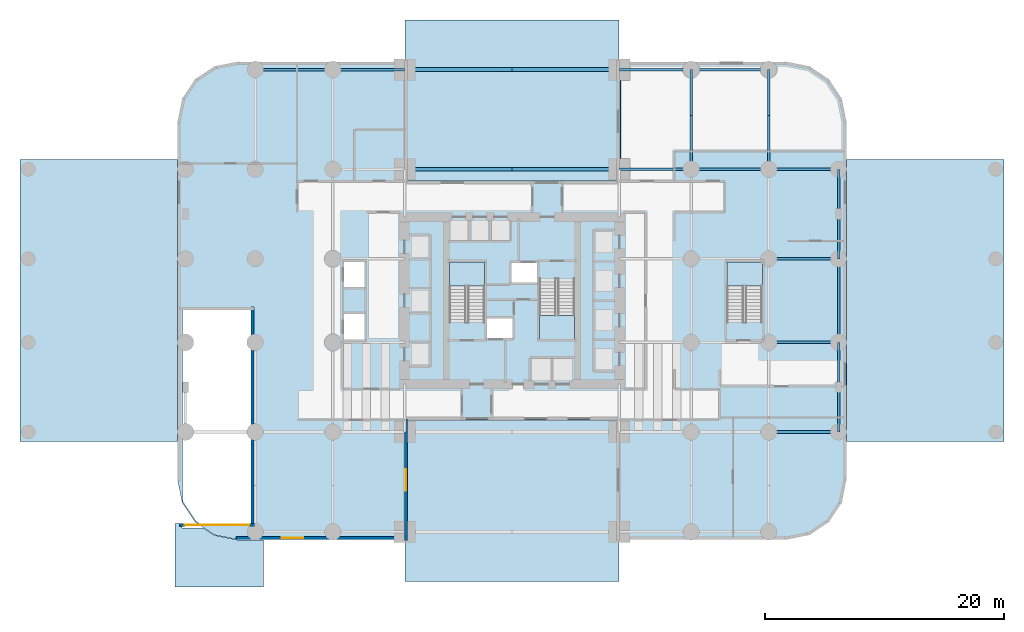
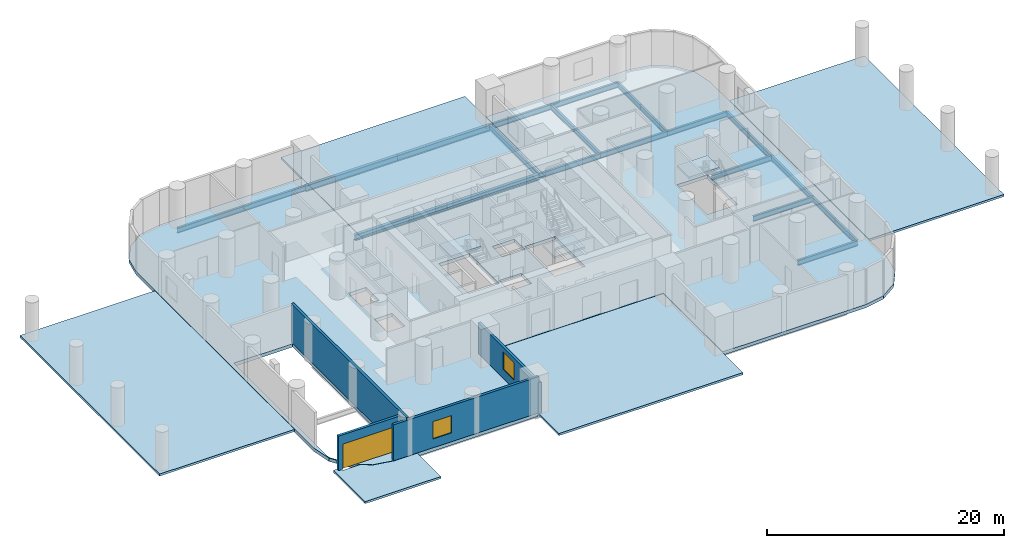
# One storey, part 2 of 10: 24 beams, 9 slabs, 4 walls, 2 windows, 1 door, 3 openings, 3 elements without a shape of their own.
"""IFC4 building model written with IfcOpenShell, lengths in metres."""

from ifc_helpers import new_model, si_unit, direction, frame, frame_2d, origin, origin_2d, place, context, subcontext, project, spatial, polyline, rectangle, i_section, outline, extrude, material, layer, layer_set, material_profile, profile_set, type_object, element, fill, aggregate, save


model = new_model("IFC4")

# Units and contexts
model_context = context("Model", 3, precision=1e-05, world=origin(), true_north=direction((0.0, 1.0)))
body_context = subcontext(model_context, "Body", "Model", "MODEL_VIEW")
ifc_project = project(units=[si_unit("LENGTHUNIT", "METRE"), si_unit("AREAUNIT", "SQUARE_METRE"), si_unit("VOLUMEUNIT", "CUBIC_METRE"), si_unit("PLANEANGLEUNIT", "RADIAN"), si_unit("MASSUNIT", "GRAM", prefix="KILO")], contexts=[model_context])

# Site, building, storey
site_placement = place(None, origin())
site = spatial("IfcSite", under=ifc_project, at=site_placement, CompositionType="ELEMENT")
building_placement = place(site_placement, origin())
building = spatial("IfcBuilding", under=site, at=building_placement, Name="Veldorim Arch Residences", CompositionType="ELEMENT")
storey_placement = place(building_placement, origin())
storey = spatial("IfcBuildingStorey", under=building, at=storey_placement, Name="L00", CompositionType="ELEMENT", Elevation=0.0)

# Beams
ifc_material_1 = material(Name="Steel S355", Category="steel")
ifc_material_profile_1 = material_profile(ifc_material_1, i_section(OverallWidth=0.2099609375, OverallDepth=0.53662109375, WebThickness=0.0107421875, FlangeThickness=0.017333984375, at=origin_2d()), Name="UB533x210x101")
ifc_profile_set_1 = profile_set([ifc_material_profile_1], Name="Steel S355")
beam_type_1 = type_object("IfcBeamType", Name="Structural Steel Beam UB533x210x101", PredefinedType="BEAM", material=ifc_profile_set_1)
beam_1_placement = place(storey_placement, frame((41.0, 35.0, -0.618408203125), z_axis=(0.0, 1.0, 0.0), x_axis=(-1.0, 0.0, 0.0)))
element("IfcBeam", 1, at=beam_1_placement, inside=storey, type_object=beam_type_1, Name="L00 north-south floor beam (X=41.0, 35.0-43.4)", PredefinedType="BEAM", context=body_context, shape_type="SweptSolid", body=[
    extrude(i_section(OverallWidth=0.2099609375, OverallDepth=0.53662109375, WebThickness=0.0107421875, FlangeThickness=0.017333984375, at=origin_2d()), origin(), (0.0, 0.0, 1.0), 8.35009765625),
])
beam_2_placement = place(storey_placement, frame((47.0, 35.0, -0.618408203125), z_axis=(0.0, 1.0, 0.0), x_axis=(-1.0, 0.0, 0.0)))
element("IfcBeam", 2, at=beam_2_placement, inside=storey, type_object=beam_type_1, Name="L00 north-south floor beam (X=47.0, 35.0-39.5)", PredefinedType="BEAM", context=body_context, shape_type="SweptSolid", body=[
    extrude(i_section(OverallWidth=0.2099609375, OverallDepth=0.53662109375, WebThickness=0.0107421875, FlangeThickness=0.017333984375, at=origin_2d()), origin(), (0.0, 0.0, 1.0), 4.5),
])
beam_3_placement = place(storey_placement, frame((47.0, 39.5, -0.618408203125), z_axis=(0.0, 1.0, 0.0), x_axis=(-1.0, 0.0, 0.0)))
element("IfcBeam", 3, at=beam_3_placement, inside=storey, type_object=beam_type_1, Name="L00 north-south floor beam (X=47.0, 39.5-43.4)", PredefinedType="BEAM", context=body_context, shape_type="SweptSolid", body=[
    extrude(i_section(OverallWidth=0.2099609375, OverallDepth=0.53662109375, WebThickness=0.0107421875, FlangeThickness=0.017333984375, at=origin_2d()), origin(), (0.0, 0.0, 1.0), 3.85009765625),
])
beam_4_placement = place(storey_placement, frame((53.5, 35.0, -0.618408203125), z_axis=(0.0, 1.0, 0.0), x_axis=(-1.0, 0.0, 0.0)))
element("IfcBeam", 4, at=beam_4_placement, inside=storey, type_object=beam_type_1, Name="L00 north-south floor beam (X=53.5, 35.0-39.5)", PredefinedType="BEAM", context=body_context, shape_type="SweptSolid", body=[
    extrude(i_section(OverallWidth=0.2099609375, OverallDepth=0.53662109375, WebThickness=0.0107421875, FlangeThickness=0.017333984375, at=origin_2d()), origin(), (0.0, 0.0, 1.0), 4.5),
])
beam_5_placement = place(storey_placement, frame((53.5, 39.5, -0.618408203125), z_axis=(0.0, 1.0, 0.0), x_axis=(-1.0, 0.0, 0.0)))
element("IfcBeam", 5, at=beam_5_placement, inside=storey, type_object=beam_type_1, Name="L00 north-south floor beam (X=53.5, 39.5-43.4)", PredefinedType="BEAM", context=body_context, shape_type="SweptSolid", body=[
    extrude(i_section(OverallWidth=0.2099609375, OverallDepth=0.53662109375, WebThickness=0.0107421875, FlangeThickness=0.017333984375, at=origin_2d()), origin(), (0.0, 0.0, 1.0), 3.85009765625),
])
for number, where, z_axis, x_axis, name in (
    (6, (59.35009765625, 13.0, -0.618408203125), (0.0, 1.0, 0.0), (-1.0, 0.0, 0.0), "L00 north-south floor beam (X=59.4, 13.0-16.8)"),
    (7, (59.35009765625, 16.75, -0.618408203125), (0.0, 1.0, 0.0), (-1.0, 0.0, 0.0), "L00 north-south floor beam (X=59.4, 16.8-20.5)"),
):
    element("IfcBeam", number, at=place(storey_placement, frame(where, z_axis=z_axis, x_axis=x_axis)), inside=storey, type_object=beam_type_1, Name=name, PredefinedType="BEAM", context=body_context, shape_type="SweptSolid", body=[
        extrude(i_section(OverallWidth=0.2099609375, OverallDepth=0.53662109375, WebThickness=0.0107421875, FlangeThickness=0.017333984375, at=origin_2d()), origin(), (0.0, 0.0, 1.0), 3.75),
    ])
beam_6_placement = place(storey_placement, frame((59.35009765625, 20.5, -0.618408203125), z_axis=(0.0, 1.0, 0.0), x_axis=(-1.0, 0.0, 0.0)))
element("IfcBeam", 8, at=beam_6_placement, inside=storey, type_object=beam_type_1, Name="L00 north-south floor beam (X=59.4, 20.5-27.5)", PredefinedType="BEAM", context=body_context, shape_type="SweptSolid", body=[
    extrude(i_section(OverallWidth=0.2099609375, OverallDepth=0.53662109375, WebThickness=0.0107421875, FlangeThickness=0.017333984375, at=origin_2d()), origin(), (0.0, 0.0, 1.0), 7.0),
])
for number, where, z_axis, x_axis, name in (
    (9, (59.35009765625, 27.5, -0.618408203125), (0.0, 1.0, 0.0), (-1.0, 0.0, 0.0), "L00 north-south floor beam (X=59.4, 27.5-31.2)"),
    (10, (59.35009765625, 31.25, -0.618408203125), (0.0, 1.0, 0.0), (-1.0, 0.0, 0.0), "L00 north-south floor beam (X=59.4, 31.2-35.0)"),
):
    element("IfcBeam", number, at=place(storey_placement, frame(where, z_axis=z_axis, x_axis=x_axis)), inside=storey, type_object=beam_type_1, Name=name, PredefinedType="BEAM", context=body_context, shape_type="SweptSolid", body=[
        extrude(i_section(OverallWidth=0.2099609375, OverallDepth=0.53662109375, WebThickness=0.0107421875, FlangeThickness=0.017333984375, at=origin_2d()), origin(), (0.0, 0.0, 1.0), 3.75),
    ])
ifc_material_2 = material(Name="Steel S355", Category="steel")
ifc_material_profile_2 = material_profile(ifc_material_2, i_section(OverallWidth=0.2119140625, OverallDepth=0.54443359375, WebThickness=0.0126953125, FlangeThickness=0.021240234375, at=origin_2d()), Name="UB533x210x122")
ifc_profile_set_2 = profile_set([ifc_material_profile_2], Name="Steel S355")
beam_type_2 = type_object("IfcBeamType", Name="Structural Steel Beam UB533x210x122", PredefinedType="BEAM", material=ifc_profile_set_2)
for number, where, z_axis, x_axis, name in (
    (11, (53.5, 13.0, -0.622314453125), (1.0, 0.0, 0.0), (0.0, 1.0, 0.0), "L00 east-west floor beam (53.5-59.4, Y=13.0)"),
    (12, (53.5, 20.5, -0.622314453125), (1.0, 0.0, 0.0), (0.0, 1.0, 0.0), "L00 east-west floor beam (53.5-59.4, Y=20.5)"),
    (13, (53.5, 27.5, -0.622314453125), (1.0, 0.0, 0.0), (0.0, 1.0, 0.0), "L00 east-west floor beam (53.5-59.4, Y=27.5)"),
):
    element("IfcBeam", number, at=place(storey_placement, frame(where, z_axis=z_axis, x_axis=x_axis)), inside=storey, type_object=beam_type_2, Name=name, PredefinedType="BEAM", context=body_context, shape_type="SweptSolid", body=[
        extrude(i_section(OverallWidth=0.2119140625, OverallDepth=0.54443359375, WebThickness=0.0126953125, FlangeThickness=0.021240234375, at=origin_2d()), origin(), (0.0, 0.0, 1.0), 5.85009765625),
    ])
beam_7_placement = place(storey_placement, frame((41.0, 35.0, -0.622314453125), z_axis=(1.0, 0.0, 0.0), x_axis=(0.0, 1.0, 0.0)))
element("IfcBeam", 14, at=beam_7_placement, inside=storey, type_object=beam_type_2, Name="L00 east-west floor beam (41.0-47.0, Y=35.0)", PredefinedType="BEAM", context=body_context, shape_type="SweptSolid", body=[
    extrude(i_section(OverallWidth=0.2119140625, OverallDepth=0.54443359375, WebThickness=0.0126953125, FlangeThickness=0.021240234375, at=origin_2d()), origin(), (0.0, 0.0, 1.0), 6.0),
])
beam_8_placement = place(storey_placement, frame((47.0, 35.0, -0.622314453125), z_axis=(1.0, 0.0, 0.0), x_axis=(0.0, 1.0, 0.0)))
element("IfcBeam", 15, at=beam_8_placement, inside=storey, type_object=beam_type_2, Name="L00 east-west floor beam (47.0-53.5, Y=35.0)", PredefinedType="BEAM", context=body_context, shape_type="SweptSolid", body=[
    extrude(i_section(OverallWidth=0.2119140625, OverallDepth=0.54443359375, WebThickness=0.0126953125, FlangeThickness=0.021240234375, at=origin_2d()), origin(), (0.0, 0.0, 1.0), 6.5),
])
beam_9_placement = place(storey_placement, frame((53.5, 35.0, -0.622314453125), z_axis=(1.0, 0.0, 0.0), x_axis=(0.0, 1.0, 0.0)))
element("IfcBeam", 16, at=beam_9_placement, inside=storey, type_object=beam_type_2, Name="L00 east-west floor beam (53.5-59.4, Y=35.0)", PredefinedType="BEAM", context=body_context, shape_type="SweptSolid", body=[
    extrude(i_section(OverallWidth=0.2119140625, OverallDepth=0.54443359375, WebThickness=0.0126953125, FlangeThickness=0.021240234375, at=origin_2d()), origin(), (0.0, 0.0, 1.0), 5.85009765625),
])
beam_10_placement = place(storey_placement, frame((10.5, 43.35009765625, -0.622314453125), z_axis=(1.0, 0.0, 0.0), x_axis=(0.0, 1.0, 0.0)))
element("IfcBeam", 17, at=beam_10_placement, inside=storey, type_object=beam_type_2, Name="L00 east-west floor beam (10.5-17.0, Y=43.4)", PredefinedType="BEAM", context=body_context, shape_type="SweptSolid", body=[
    extrude(i_section(OverallWidth=0.2119140625, OverallDepth=0.54443359375, WebThickness=0.0126953125, FlangeThickness=0.021240234375, at=origin_2d()), origin(), (0.0, 0.0, 1.0), 6.5),
])
for number, where, z_axis, x_axis, name in (
    (18, (17.0, 43.35009765625, -0.622314453125), (1.0, 0.0, 0.0), (0.0, 1.0, 0.0), "L00 east-west floor beam (17.0-23.0, Y=43.4)"),
    (19, (41.0, 43.35009765625, -0.622314453125), (1.0, 0.0, 0.0), (0.0, 1.0, 0.0), "L00 east-west floor beam (41.0-47.0, Y=43.4)"),
):
    element("IfcBeam", number, at=place(storey_placement, frame(where, z_axis=z_axis, x_axis=x_axis)), inside=storey, type_object=beam_type_2, Name=name, PredefinedType="BEAM", context=body_context, shape_type="SweptSolid", body=[
        extrude(i_section(OverallWidth=0.2119140625, OverallDepth=0.54443359375, WebThickness=0.0126953125, FlangeThickness=0.021240234375, at=origin_2d()), origin(), (0.0, 0.0, 1.0), 6.0),
    ])
beam_11_placement = place(storey_placement, frame((47.0, 43.35009765625, -0.622314453125), z_axis=(1.0, 0.0, 0.0), x_axis=(0.0, 1.0, 0.0)))
element("IfcBeam", 20, at=beam_11_placement, inside=storey, type_object=beam_type_2, Name="L00 east-west floor beam (47.0-53.5, Y=43.4)", PredefinedType="BEAM", context=body_context, shape_type="SweptSolid", body=[
    extrude(i_section(OverallWidth=0.2119140625, OverallDepth=0.54443359375, WebThickness=0.0126953125, FlangeThickness=0.021240234375, at=origin_2d()), origin(), (0.0, 0.0, 1.0), 6.5),
])
ifc_material_3 = material(Name="Steel S355", Category="steel")
ifc_material_profile_3 = material_profile(ifc_material_3, i_section(OverallWidth=0.30712890625, OverallDepth=0.6201171875, WebThickness=0.01416015625, FlangeThickness=0.023681640625, at=origin_2d()), Name="UB610x305x179")
ifc_profile_set_3 = profile_set([ifc_material_profile_3], Name="Steel S355")
beam_type_3 = type_object("IfcBeamType", Name="Structural Steel Beam UB610x305x179", PredefinedType="BEAM", material=ifc_profile_set_3)
for number, where, z_axis, x_axis, name in (
    (21, (23.0, 35.0, -0.66015625), (1.0, 0.0, 0.0), (0.0, 1.0, 0.0), "L00 east-west floor beam (23.0-32.0, Y=35.0)"),
    (22, (32.0, 35.0, -0.66015625), (1.0, 0.0, 0.0), (0.0, 1.0, 0.0), "L00 east-west floor beam (32.0-41.0, Y=35.0)"),
    (23, (23.0, 43.35009765625, -0.66015625), (1.0, 0.0, 0.0), (0.0, 1.0, 0.0), "L00 east-west floor beam (23.0-32.0, Y=43.4)"),
    (24, (32.0, 43.35009765625, -0.66015625), (1.0, 0.0, 0.0), (0.0, 1.0, 0.0), "L00 east-west floor beam (32.0-41.0, Y=43.4)"),
):
    element("IfcBeam", number, at=place(storey_placement, frame(where, z_axis=z_axis, x_axis=x_axis)), inside=storey, type_object=beam_type_3, Name=name, PredefinedType="BEAM", context=body_context, shape_type="SweptSolid", body=[
        extrude(i_section(OverallWidth=0.30712890625, OverallDepth=0.6201171875, WebThickness=0.01416015625, FlangeThickness=0.023681640625, at=origin_2d()), origin(), (0.0, 0.0, 1.0), 9.0),
    ])

# Slabs
ifc_material_4 = material(Name="Precast concrete C40/50", Category="concrete")
ifc_layer_1 = layer(ifc_material_4, 0.219970703125, Name="Giant Arch Sheltered Plaza & Drop-Off Paving 220")
ifc_layer_set_1 = layer_set([ifc_layer_1], Name="Precast concrete C40/50")
slab_type_1 = type_object("IfcSlabType", Name="Giant Arch Sheltered Plaza & Drop-Off Paving 220", PredefinedType="USERDEFINED", material=ifc_layer_set_1)
slab_1_placement = place(storey_placement, frame((0.0, 0.0, -0.219970703125)))
element("IfcSlab", 25, at=slab_1_placement, inside=storey, type_object=slab_type_1, Name="South Giant Arch sheltered civic plaza paving", ObjectType="PAVING", PredefinedType="USERDEFINED", context=body_context, shape_type="SweptSolid", body=[
    extrude(outline(polyline([(40.97998046875, 0.5), (23.02001953125, 0.5), (23.02001953125, 3.97509765625), (23.02490234375, 3.97509765625), (23.02490234375, 13.969970703125), (40.97509765625, 13.969970703125), (40.97509765625, 3.97509765625), (40.97998046875, 3.97509765625), (40.97998046875, 0.5)])), origin(), (0.0, 0.0, 1.0), 0.219970703125),
])
slab_2_placement = place(storey_placement, frame((0.0, 0.0, -0.219970703125)))
element("IfcSlab", 26, at=slab_2_placement, inside=storey, type_object=slab_type_1, Name="North Giant Arch sheltered civic plaza paving", ObjectType="PAVING", PredefinedType="USERDEFINED", context=body_context, shape_type="SweptSolid", body=[
    extrude(outline(polyline([(23.02490234375, 34.030029296875), (23.02490234375, 44.02490234375), (23.02001953125, 44.02490234375), (23.02001953125, 47.5), (40.97998046875, 47.5), (40.97998046875, 44.02490234375), (40.97509765625, 44.02490234375), (40.97509765625, 34.030029296875), (23.02490234375, 34.030029296875)])), origin(), (0.0, 0.0, 1.0), 0.219970703125),
])
slab_3_placement = place(storey_placement, frame((0.0, 0.0, -0.219970703125)))
element("IfcSlab", 27, at=slab_3_placement, inside=storey, type_object=slab_type_1, Name="West vehicle ramp driveway apron paving", ObjectType="PAVING", PredefinedType="USERDEFINED", context=body_context, shape_type="SweptSolid", body=[
    extrude(outline(polyline([(11.199951171875, 0.0), (3.800048828125, 0.0), (3.800048828125, 5.35009765625), (4.35009765625, 5.35009765625), (4.35009765625, 4.949951171875), (6.189453125, 4.949951171875), (7.076904296875, 4.357177734375), (8.99755859375, 3.97509765625), (11.199951171875, 3.97509765625), (11.199951171875, 0.0)])), origin(), (0.0, 0.0, 1.0), 0.219970703125),
])
slab_4_placement = place(storey_placement, frame((0.0, 0.0, -0.219970703125)))
element("IfcSlab", 28, at=slab_4_placement, inside=storey, type_object=slab_type_1, Name="West ambulance & patient drop-off bay paving", ObjectType="PAVING", PredefinedType="USERDEFINED", context=body_context, shape_type="SweptSolid", body=[
    extrude(outline(polyline([(-9.199951171875, 35.800048828125), (3.969970703125, 35.800048828125), (3.969970703125, 12.199951171875), (-9.199951171875, 12.199951171875), (-9.199951171875, 35.800048828125)])), origin(), (0.0, 0.0, 1.0), 0.219970703125),
])
slab_5_placement = place(storey_placement, frame((0.0, 0.0, -0.219970703125)))
element("IfcSlab", 29, at=slab_5_placement, inside=storey, type_object=slab_type_1, Name="East polyclinic passenger drop-off bay paving", ObjectType="PAVING", PredefinedType="USERDEFINED", context=body_context, shape_type="SweptSolid", body=[
    extrude(outline(polyline([(60.030029296875, 35.800048828125), (73.199951171875, 35.800048828125), (73.199951171875, 12.199951171875), (60.030029296875, 12.199951171875), (60.030029296875, 35.800048828125)])), origin(), (0.0, 0.0, 1.0), 0.219970703125),
])
ifc_material_5 = material(Name="Concrete C40/50", Category="concrete")
ifc_layer_2 = layer(ifc_material_5, 0.35009765625, Name="Ground L00 Concourse & Polyclinic Slab 350")
ifc_layer_set_2 = layer_set([ifc_layer_2], Name="Concrete C40/50")
slab_type_2 = type_object("IfcSlabType", Name="Ground L00 Concourse & Polyclinic Slab 350", PredefinedType="FLOOR", material=ifc_layer_set_2)
slab_6_placement = place(storey_placement, frame((0.0, 0.0, -0.35009765625)))
element("IfcSlab", 30, at=slab_6_placement, inside=storey, type_object=slab_type_2, Name="L00 ground concourse & polyclinic floor slab", PredefinedType="FLOOR", context=body_context, shape_type="SweptSolid", body=[
    extrude(outline(polyline([(55.0, 44.0), (56.913330078125, 43.619384765625), (58.535400390625, 42.535400390625), (59.619384765625, 40.913330078125), (60.0, 39.0), (60.0, 9.0), (59.619384765625, 7.086669921875), (58.535400390625, 5.464599609375), (56.913330078125, 4.380615234375), (55.0, 4.0), (41.0, 4.0), (41.0, 14.0), (23.0, 14.0), (23.0, 4.0), (9.0, 4.0), (7.086669921875, 4.380615234375), (5.464599609375, 5.464599609375), (4.380615234375, 7.086669921875), (4.0, 9.0), (4.0, 39.0), (4.380615234375, 40.913330078125), (5.464599609375, 42.535400390625), (7.086669921875, 43.619384765625), (9.0, 44.0), (23.0, 44.0), (23.0, 34.0), (41.0, 34.0), (41.0, 44.0), (55.0, 44.0)]), holes=[polyline([(6.0703125, 5.179931640625), (5.53662109375, 5.53662109375), (4.474853515625, 7.12548828125), (4.39990234375, 7.501708984375), (4.39990234375, 23.219970703125), (10.14990234375, 23.219970703125), (10.14990234375, 5.179931640625), (6.0703125, 5.179931640625)]), polyline([(29.909912109375, 20.81494140625), (29.909912109375, 22.544921875), (32.090087890625, 22.544921875), (32.090087890625, 20.81494140625), (29.909912109375, 20.81494140625)]), polyline([(17.93505859375, 20.7099609375), (17.93505859375, 22.889892578125), (19.6650390625, 22.889892578125), (19.6650390625, 20.7099609375), (17.93505859375, 20.7099609375)]), polyline([(34.2900390625, 20.75), (34.2900390625, 25.804931640625), (37.25, 25.804931640625), (37.25, 20.75), (34.2900390625, 20.75)]), polyline([(26.75, 22.195068359375), (26.75, 27.25), (29.7099609375, 27.25), (29.7099609375, 22.195068359375), (26.75, 22.195068359375)]), polyline([(50.0, 22.195068359375), (50.0, 27.25), (52.9599609375, 27.25), (52.9599609375, 22.195068359375), (50.0, 22.195068359375)]), polyline([(17.93505859375, 25.110107421875), (17.93505859375, 27.2900390625), (19.6650390625, 27.2900390625), (19.6650390625, 25.110107421875), (17.93505859375, 25.110107421875)]), polyline([(31.909912109375, 25.455078125), (31.909912109375, 27.18505859375), (34.090087890625, 27.18505859375), (34.090087890625, 25.455078125), (31.909912109375, 25.455078125)])]), origin(), (0.0, 0.0, 1.0), 0.35009765625),
])

# Stair, slab
ifc_material_6 = material(Name="Concrete C40/50", Category="concrete")
stair_type = type_object("IfcStairType", Name="Reinforced Concrete Dogleg Exit Staircase", PredefinedType="HALF_TURN_STAIR", material=ifc_material_6)
stair_1_placement = place(storey_placement, origin())
stair_1 = element("IfcStair", 31, at=stair_1_placement, inside=storey, type_object=stair_type, Name="L00 Exit Staircase ST-1", PredefinedType="HALF_TURN_STAIR")
ifc_material_7 = material(Name="Concrete C40/50", Category="concrete")
ifc_layer_3 = layer(ifc_material_7, 0.199951171875, Name="Reinforced Concrete Stair Landing 200")
ifc_layer_set_3 = layer_set([ifc_layer_3], Name="Concrete C40/50")
slab_type_3 = type_object("IfcSlabType", Name="Reinforced Concrete Stair Landing 200", PredefinedType="LANDING", material=ifc_layer_set_3)
slab_7_placement = place(storey_placement, frame((0.0, 0.0, 1.800048828125)))
slab_7 = element("IfcSlab", 32, at=slab_7_placement, type_object=slab_type_3, Name="ST-1 landing 1", PredefinedType="LANDING", context=body_context, shape_type="SweptSolid", body=[
    extrude(outline(polyline([(29.7099609375, 25.22998046875), (29.7099609375, 27.25), (26.75, 27.25), (26.75, 25.22998046875), (29.7099609375, 25.22998046875)])), origin(), (0.0, 0.0, 1.0), 0.199951171875),
])
aggregate(stair_1, [slab_7])

stair_2_placement = place(storey_placement, origin())
stair_2 = element("IfcStair", 33, at=stair_2_placement, inside=storey, type_object=stair_type, Name="L00 Exit Staircase ST-2", PredefinedType="HALF_TURN_STAIR")
slab_8_placement = place(storey_placement, frame((0.0, 0.0, 1.800048828125)))
slab_8 = element("IfcSlab", 34, at=slab_8_placement, type_object=slab_type_3, Name="ST-2 landing 1", PredefinedType="LANDING", context=body_context, shape_type="SweptSolid", body=[
    extrude(outline(polyline([(34.2900390625, 22.77001953125), (34.2900390625, 20.75), (37.25, 20.75), (37.25, 22.77001953125), (34.2900390625, 22.77001953125)])), origin(), (0.0, 0.0, 1.0), 0.199951171875),
])
aggregate(stair_2, [slab_8])

stair_3_placement = place(storey_placement, origin())
stair_3 = element("IfcStair", 35, at=stair_3_placement, inside=storey, type_object=stair_type, Name="L00 Exit Staircase ST-3", PredefinedType="HALF_TURN_STAIR")
slab_9_placement = place(storey_placement, frame((0.0, 0.0, 1.800048828125)))
slab_9 = element("IfcSlab", 36, at=slab_9_placement, type_object=slab_type_3, Name="ST-3 landing 1", PredefinedType="LANDING", context=body_context, shape_type="SweptSolid", body=[
    extrude(outline(polyline([(52.9599609375, 25.22998046875), (52.9599609375, 27.25), (50.0, 27.25), (50.0, 25.22998046875), (52.9599609375, 25.22998046875)])), origin(), (0.0, 0.0, 1.0), 0.199951171875),
])
aggregate(stair_3, [slab_9])

# Wall, opening, window
ifc_material_8 = material(Name="Precast concrete C40/50", Category="concrete")
ifc_layer_4 = layer(ifc_material_8, 0.25, Name="Podium Terracotta Insulated Facade Wall 250")
ifc_layer_set_4 = layer_set([ifc_layer_4], Name="Precast concrete C40/50")
wall_type_1 = type_object("IfcWallType", Name="Podium Terracotta Insulated Facade Wall 250", PredefinedType="SOLIDWALL", material=ifc_layer_set_4)
wall_1_placement = place(storey_placement, frame((23.125, 3.89990234375, 0.0), z_axis=(0.0, 0.0, 1.0), x_axis=(0.0, 1.0, 0.0)))
wall_1 = element("IfcWall", 37, at=wall_1_placement, inside=storey, type_object=wall_type_1, Name="L00 podium terracotta facade wall 12", PredefinedType="SOLIDWALL", context=body_context, shape_type="SweptSolid", body=[
    extrude(rectangle(XDim=10.2001953125, YDim=0.25, at=frame_2d((5.10009765625, 0.0))), origin(), (0.0, 0.0, 1.0), 3.178466796875),
])
opening_1_placement = place(wall_1_placement, frame((4.199951171875, 0.0, 0.89990234375)))
opening_1 = element("IfcOpeningElement", 38, at=opening_1_placement, cuts=wall_1, Name="Opening WN-01", PredefinedType="OPENING", context=body_context, shape_type="SweptSolid", body=[
    extrude(rectangle(XDim=1.800048828125, YDim=1.800048828125, at=frame_2d((0.89990234375, 0.89990234375))), frame((0.0, 0.135009765625, 0.0), z_axis=(0.0, -1.0, 0.0), x_axis=(1.0, 0.0, 0.0)), (0.0, 0.0, 1.0), 0.27001953125),
])
ifc_material_9 = material(Name="Laminated Low-E Glass", Category="glass")
window_type = type_object("IfcWindowType", Name="Polyclinic Double-Glazed Window 1800x1800", PartitioningType="SINGLE_PANEL", PredefinedType="WINDOW", material=ifc_material_9)
window_1_placement = place(opening_1_placement, origin())
window_1 = element("IfcWindow", 39, at=window_1_placement, inside=storey, type_object=window_type, Name="L00 outpatient clinic window 12-1", OverallHeight=1.800048828125, OverallWidth=1.800048828125, PartitioningType="SINGLE_PANEL", PredefinedType="WINDOW", context=body_context, shape_type="SweptSolid", body=[
    extrude(rectangle(XDim=1.800048828125, YDim=1.800048828125, at=frame_2d((0.89990234375, 0.89990234375))), frame((0.0, 0.030029296875, 0.0), z_axis=(0.0, -1.0, 0.0), x_axis=(1.0, 0.0, 0.0)), (0.0, 0.0, 1.0), 0.06005859375),
])
fill(opening_1, window_1)

wall_2_placement = place(storey_placement, frame((23.10009765625, 4.125, 0.0), z_axis=(0.0, 0.0, 1.0), x_axis=(-1.0, 0.0, 0.0)))
wall_2 = element("IfcWall", 40, at=wall_2_placement, inside=storey, type_object=wall_type_1, Name="L00 podium terracotta facade wall 13", PredefinedType="SOLIDWALL", context=body_context, shape_type="SweptSolid", body=[
    extrude(rectangle(XDim=14.2001953125, YDim=0.25, at=frame_2d((7.10009765625, 0.0))), origin(), (0.0, 0.0, 1.0), 3.719970703125),
])
opening_2_placement = place(wall_2_placement, frame((8.56689453125, 0.0, 0.89990234375)))
opening_2 = element("IfcOpeningElement", 41, at=opening_2_placement, cuts=wall_2, Name="Opening WN-01", PredefinedType="OPENING", context=body_context, shape_type="SweptSolid", body=[
    extrude(rectangle(XDim=1.800048828125, YDim=1.800048828125, at=frame_2d((0.89990234375, 0.89990234375))), frame((0.0, 0.135009765625, 0.0), z_axis=(0.0, -1.0, 0.0), x_axis=(1.0, 0.0, 0.0)), (0.0, 0.0, 1.0), 0.27001953125),
])
window_2_placement = place(opening_2_placement, origin())
window_2 = element("IfcWindow", 42, at=window_2_placement, inside=storey, type_object=window_type, Name="L00 outpatient clinic window 13-2", OverallHeight=1.800048828125, OverallWidth=1.800048828125, PartitioningType="SINGLE_PANEL", PredefinedType="WINDOW", context=body_context, shape_type="SweptSolid", body=[
    extrude(rectangle(XDim=1.800048828125, YDim=1.800048828125, at=frame_2d((0.89990234375, 0.89990234375))), frame((0.0, 0.030029296875, 0.0), z_axis=(0.0, -1.0, 0.0), x_axis=(1.0, 0.0, 0.0)), (0.0, 0.0, 1.0), 0.06005859375),
])
fill(opening_2, window_2)

# Wall, opening, door
wall_3_placement = place(storey_placement, frame((10.449951171875, 5.199951171875, 0.0), z_axis=(0.0, 0.0, 1.0), x_axis=(-1.0, 0.0, 0.0)))
wall_3 = element("IfcWall", 43, at=wall_3_placement, inside=storey, type_object=wall_type_1, Name="L00 vehicle ramp portal headwall", PredefinedType="SOLIDWALL", context=body_context, shape_type="SweptSolid", body=[
    extrude(rectangle(XDim=6.300048828125, YDim=0.25, at=frame_2d((3.14990234375, 0.0))), origin(), (0.0, 0.0, 1.0), 3.550048828125),
])
opening_3_placement = place(wall_3_placement, frame((0.449951171875, 0.0, 0.0)))
opening_3 = element("IfcOpeningElement", 44, at=opening_3_placement, cuts=wall_3, Name="Opening VG-01", PredefinedType="OPENING", context=body_context, shape_type="SweptSolid", body=[
    extrude(rectangle(XDim=5.39990234375, YDim=2.60009765625, at=frame_2d((2.699951171875, 1.300048828125))), frame((0.0, 0.135009765625, 0.0), z_axis=(0.0, -1.0, 0.0), x_axis=(1.0, 0.0, 0.0)), (0.0, 0.0, 1.0), 0.27001953125),
])
ifc_material_10 = material(Name="Galvanised Steel", Category="steel")
door_type = type_object("IfcDoorType", Name="Motorised Roller-Shutter Vehicle Ramp Gate 5400x2600", OperationType="ROLLINGUP", PredefinedType="GATE", material=ifc_material_10)
door_placement = place(opening_3_placement, origin())
door = element("IfcDoor", 45, at=door_placement, inside=storey, type_object=door_type, Name="Basement car park roller-shutter vehicle gate VG-01", OperationType="ROLLINGUP", OverallHeight=2.60009765625, OverallWidth=5.39990234375, PredefinedType="GATE", context=body_context, shape_type="SweptSolid", body=[
    extrude(rectangle(XDim=5.39990234375, YDim=2.60009765625, at=frame_2d((2.699951171875, 1.300048828125))), frame((0.0, 0.02490234375, 0.0), z_axis=(0.0, -1.0, 0.0), x_axis=(1.0, 0.0, 0.0)), (0.0, 0.0, 1.0), 0.050048828125),
])
fill(opening_3, door)

# Wall
ifc_material_11 = material(Name="Concrete C50/60", Category="concrete")
ifc_layer_5 = layer(ifc_material_11, 0.25, Name="Vehicle Ramp Structural Enclosure Wall 250")
ifc_layer_set_5 = layer_set([ifc_layer_5], Name="Concrete C50/60")
wall_type_2 = type_object("IfcWallType", Name="Vehicle Ramp Structural Enclosure Wall 250", PredefinedType="SHEAR", material=ifc_layer_set_5)
wall_4_placement = place(storey_placement, frame((10.27490234375, 4.0, 0.0), z_axis=(0.0, 0.0, 1.0), x_axis=(0.0, 1.0, 0.0)))
element("IfcWall", 46, at=wall_4_placement, inside=storey, type_object=wall_type_2, Name="L00 vehicle ramp east enclosure wall", PredefinedType="SHEAR", context=body_context, shape_type="SweptSolid", body=[
    extrude(rectangle(XDim=19.449951171875, YDim=0.25, at=frame_2d((9.72509765625, 0.0))), origin(), (0.0, 0.0, 1.0), 4.0),
])

save(model, "model.ifc")
